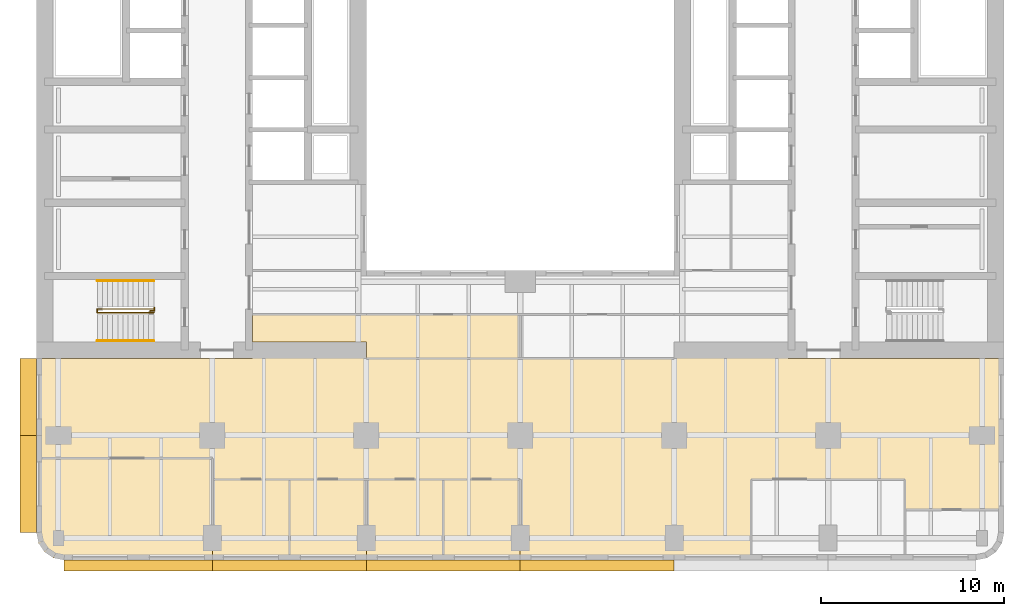
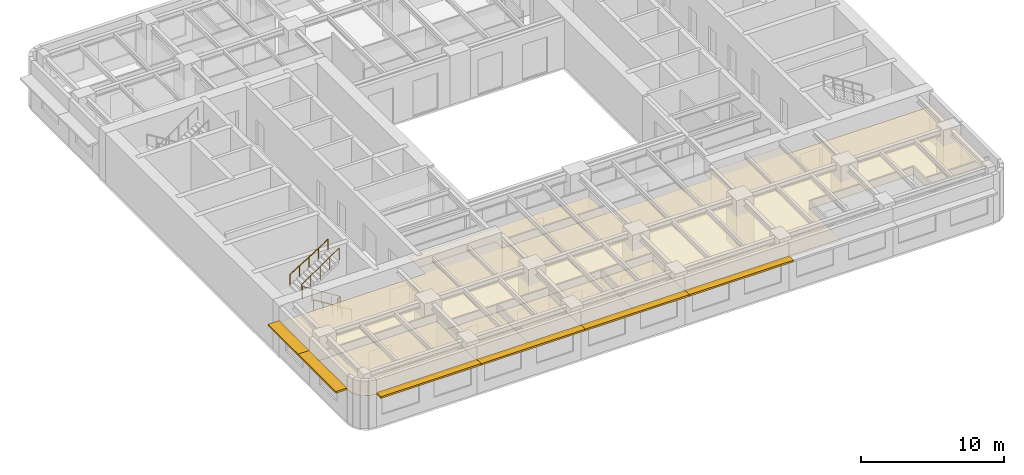
# One storey, part 9 of 11: 7 coverings, 6 shading devices, 4 railings.
"""IFC4 building model written with IfcOpenShell, lengths in metres."""

from ifc_helpers import new_model, si_unit, direction, frame, origin, origin_2d, place, context, subcontext, project, spatial, polyline, rectangle, circle, outline, extrude, material, layer, layer_set, type_object, element, save


model = new_model("IFC4")

# Units and contexts
model_context = context("Model", 3, precision=1e-05, world=origin(), true_north=direction((0.0, 1.0)))
body_context = subcontext(model_context, "Body", "Model", "MODEL_VIEW")
ifc_project = project(units=[si_unit("LENGTHUNIT", "METRE"), si_unit("AREAUNIT", "SQUARE_METRE"), si_unit("VOLUMEUNIT", "CUBIC_METRE"), si_unit("PLANEANGLEUNIT", "RADIAN"), si_unit("MASSUNIT", "GRAM", prefix="KILO")], contexts=[model_context])

# Site, building, storey
site_placement = place(None, origin())
site = spatial("IfcSite", under=ifc_project, at=site_placement, CompositionType="ELEMENT")
building_placement = place(site_placement, origin())
building = spatial("IfcBuilding", under=site, at=building_placement, Name="Claustro Exchange Tower", CompositionType="ELEMENT")
storey_placement = place(building_placement, frame((0.0, 0.0, 113.39990234375)))
storey = spatial("IfcBuildingStorey", under=building, at=storey_placement, Name="L25", CompositionType="ELEMENT", Elevation=113.39990234375)

# Coverings
ifc_material_1 = material(Name="Perforated metal ceiling tiles", Category="steel")
ifc_layer_1 = layer(ifc_material_1, 0.030029296875)
ifc_layer_set_1 = layer_set([ifc_layer_1], Name="Perforated metal ceiling tiles")
covering_type_1 = type_object("IfcCoveringType", Name="CL1 suspended metal ceiling", PredefinedType="CEILING", material=ifc_layer_set_1)
covering_1_placement = place(storey_placement, frame((0.0, 0.0, 2.800048828125)))
element("IfcCovering", 1, at=covering_1_placement, inside=storey, type_object=covering_type_1, Name="Ceiling CL1 L25-08", PredefinedType="CEILING", context=body_context, shape_type="SweptSolid", body=[
    extrude(outline(polyline([(10.60009765625, 12.60009765625), (-1.199951171875, 12.60009765625), (-1.199951171875, 7.14990234375), (8.39990234375, 7.14990234375), (8.39990234375, 6.0), (12.60009765625, 6.0), (16.800048828125, 6.0), (21.0, 6.0), (25.199951171875, 6.0), (25.199951171875, 1.60009765625), (37.800048828125, 1.60009765625), (37.800048828125, 6.0), (46.199951171875, 6.0), (46.199951171875, 4.35009765625), (51.60009765625, 4.35009765625), (51.60009765625, 12.60009765625), (39.800048828125, 12.60009765625), (39.800048828125, 13.5), (33.60009765625, 13.5), (33.60009765625, 12.60009765625), (25.199951171875, 12.60009765625), (16.800048828125, 12.60009765625), (16.800048828125, 13.5), (10.60009765625, 13.5), (10.60009765625, 12.60009765625)])), origin(), (0.0, 0.0, 1.0), 0.030029296875),
])
ifc_material_2 = material(Name="Gypsum board ceiling", Category="gypsum board")
ifc_layer_2 = layer(ifc_material_2, 0.02490234375)
ifc_layer_set_2 = layer_set([ifc_layer_2], Name="Gypsum board ceiling")
covering_type_2 = type_object("IfcCoveringType", Name="CL2 plasterboard ceiling", PredefinedType="CEILING", material=ifc_layer_set_2)
covering_2_placement = place(storey_placement, frame((0.0, 0.0, 2.800048828125)))
element("IfcCovering", 2, at=covering_2_placement, inside=storey, type_object=covering_type_2, Name="Ceiling CL2 L25-02", PredefinedType="CEILING", context=body_context, shape_type="SweptSolid", body=[
    extrude(outline(polyline([(8.39990234375, 1.60009765625), (12.60009765625, 1.60009765625), (12.60009765625, 6.0), (8.39990234375, 6.0), (8.39990234375, 1.60009765625)])), origin(), (0.0, 0.0, 1.0), 0.025146484375),
])
covering_3_placement = place(storey_placement, frame((0.0, 0.0, 2.800048828125)))
element("IfcCovering", 3, at=covering_3_placement, inside=storey, type_object=covering_type_2, Name="Ceiling CL2 L25-03", PredefinedType="CEILING", context=body_context, shape_type="SweptSolid", body=[
    extrude(outline(polyline([(12.60009765625, 1.60009765625), (16.800048828125, 1.60009765625), (16.800048828125, 6.0), (12.60009765625, 6.0), (12.60009765625, 1.60009765625)])), origin(), (0.0, 0.0, 1.0), 0.025146484375),
])
covering_4_placement = place(storey_placement, frame((0.0, 0.0, 2.800048828125)))
element("IfcCovering", 4, at=covering_4_placement, inside=storey, type_object=covering_type_2, Name="Ceiling CL2 L25-04", PredefinedType="CEILING", context=body_context, shape_type="SweptSolid", body=[
    extrude(outline(polyline([(16.800048828125, 1.60009765625), (21.0, 1.60009765625), (21.0, 6.0), (16.800048828125, 6.0), (16.800048828125, 1.60009765625)])), origin(), (0.0, 0.0, 1.0), 0.025146484375),
])
covering_5_placement = place(storey_placement, frame((0.0, 0.0, 2.800048828125)))
element("IfcCovering", 5, at=covering_5_placement, inside=storey, type_object=covering_type_2, Name="Ceiling CL2 L25-05", PredefinedType="CEILING", context=body_context, shape_type="SweptSolid", body=[
    extrude(outline(polyline([(21.0, 1.60009765625), (25.199951171875, 1.60009765625), (25.199951171875, 6.0), (21.0, 6.0), (21.0, 1.60009765625)])), origin(), (0.0, 0.0, 1.0), 0.025146484375),
])
covering_6_placement = place(storey_placement, frame((0.0, 0.0, 2.800048828125)))
element("IfcCovering", 6, at=covering_6_placement, inside=storey, type_object=covering_type_2, Name="Ceiling CL2 L25-07", PredefinedType="CEILING", context=body_context, shape_type="SweptSolid", body=[
    extrude(outline(polyline([(-1.085693359375, 2.52587890625), (-0.7607421875, 2.039306640625), (-0.27392578125, 1.714111328125), (0.300048828125, 1.60009765625), (8.39990234375, 1.60009765625), (8.39990234375, 7.14990234375), (-1.199951171875, 7.14990234375), (-1.199951171875, 3.10009765625), (-1.085693359375, 2.52587890625)])), origin(), (0.0, 0.0, 1.0), 0.025146484375),
])
covering_7_placement = place(storey_placement, frame((0.0, 0.0, 2.800048828125)))
element("IfcCovering", 7, at=covering_7_placement, inside=storey, type_object=covering_type_2, Name="Ceiling CL2 L25-09", PredefinedType="CEILING", context=body_context, shape_type="SweptSolid", body=[
    extrude(outline(polyline([(10.60009765625, 15.0), (10.60009765625, 13.5), (16.800048828125, 13.5), (16.800048828125, 12.60009765625), (25.199951171875, 12.60009765625), (25.199951171875, 15.0), (16.800048828125, 15.0), (16.800048828125, 15.0), (10.60009765625, 15.0)])), origin(), (0.0, 0.0, 1.0), 0.025146484375),
])

# Railings
ifc_material_3 = material(Name="Steel balustrade, painted", Category="steel")
railing_type_1 = type_object("IfcRailingType", Name="GR2 1100 steel stair guard", PredefinedType="GUARDRAIL", material=ifc_material_3)
railing_1_placement = place(storey_placement, frame((5.199951171875, 15.10009765625, 0.175048828125)))
element("IfcRailing", 8, at=railing_1_placement, inside=storey, type_object=railing_type_1, Name="Stair well guard GR2 stair STWA L25", PredefinedType="GUARDRAIL", context=body_context, shape_type="SweptSolid", body=[
    extrude(circle(Radius=0.02392578125, at=origin_2d()), frame((0.0, 0.0, 1.076171875), z_axis=(-0.847979421464, 0.0, 0.530029150871), x_axis=(0.0, -1.0, 0.0)), (0.0, 0.0, 1.0), 3.632080078125),
    extrude(circle(Radius=0.02392578125, at=origin_2d()), frame((-3.079833984375, 0.0, 3.0009765625), z_axis=(0.0, 1.0, 0.0), x_axis=(-1.0, 0.0, 0.0)), (0.0, 0.0, 1.0), 0.199951171875),
    extrude(circle(Radius=0.02392578125, at=origin_2d()), frame((-3.079833984375, 0.199951171875, 3.0009765625), z_axis=(0.826201015165, 0.0, 0.563375436579), x_axis=(0.0, 1.0, 0.0)), (0.0, 0.0, 1.0), 3.727783203125),
    extrude(circle(Radius=0.02099609375, at=origin_2d()), origin(), (0.0, 0.0, 1.0), 1.052001953125),
    extrude(circle(Radius=0.02099609375, at=origin_2d()), frame((-0.77001953125, 0.0, 0.481201171875)), (0.0, 0.0, 1.0), 1.052001953125),
    extrude(circle(Radius=0.02099609375, at=origin_2d()), frame((-1.5400390625, 0.0, 0.96240234375)), (0.0, 0.0, 1.0), 1.052001953125),
    extrude(circle(Radius=0.02099609375, at=origin_2d()), frame((-2.309814453125, 0.0, 1.44384765625)), (0.0, 0.0, 1.0), 1.052001953125),
    extrude(circle(Radius=0.02099609375, at=origin_2d()), frame((-3.079833984375, 0.0, 1.925048828125)), (0.0, 0.0, 1.0), 1.052001953125),
    extrude(circle(Radius=0.02099609375, at=origin_2d()), frame((-3.079833984375, 0.199951171875, 1.925048828125)), (0.0, 0.0, 1.0), 1.052001953125),
    extrude(circle(Radius=0.02099609375, at=origin_2d()), frame((-2.309814453125, 0.199951171875, 2.4501953125)), (0.0, 0.0, 1.0), 1.052001953125),
    extrude(circle(Radius=0.02099609375, at=origin_2d()), frame((-1.5400390625, 0.199951171875, 2.97509765625)), (0.0, 0.0, 1.0), 1.052001953125),
    extrude(circle(Radius=0.02099609375, at=origin_2d()), frame((-0.77001953125, 0.199951171875, 3.5)), (0.0, 0.0, 1.0), 1.052001953125),
    extrude(circle(Radius=0.02099609375, at=origin_2d()), frame((0.0, 0.199951171875, 4.025146484375)), (0.0, 0.0, 1.0), 1.052001953125),
])
railing_2_placement = place(storey_placement, frame((5.0, 15.169921875, 0.0)))
element("IfcRailing", 9, at=railing_2_placement, inside=storey, type_object=railing_type_1, Name="Stair guard GR2 STWA L25", PredefinedType="GUARDRAIL", context=body_context, shape_type="SweptSolid", body=[
    extrude(circle(Radius=0.02392578125, at=origin_2d()), frame((0.0, 0.0, 1.076171875), z_axis=(0.0, 1.0, 0.0), x_axis=(-1.0, 0.0, 0.0)), (0.0, 0.0, 1.0), 0.030029296875),
    extrude(circle(Radius=0.02392578125, at=origin_2d()), frame((0.0, 0.030029296875, 1.076171875), z_axis=(1.0, 0.0, 0.0), x_axis=(0.0, 1.0, 0.0)), (0.0, 0.0, 1.0), 0.22509765625),
    extrude(circle(Radius=0.02392578125, at=origin_2d()), frame((0.22509765625, 0.030029296875, 1.076171875), z_axis=(0.0, 1.0, 0.0), x_axis=(-1.0, 0.0, 0.0)), (0.0, 0.0, 1.0), 0.179931640625),
    extrude(circle(Radius=0.02099609375, at=origin_2d()), origin(), (0.0, 0.0, 1.0), 1.052001953125),
    extrude(circle(Radius=0.02099609375, at=origin_2d()), frame((0.0, 0.030029296875, 0.0)), (0.0, 0.0, 1.0), 1.052001953125),
    extrude(circle(Radius=0.02099609375, at=origin_2d()), frame((0.22509765625, 0.030029296875, 0.0)), (0.0, 0.0, 1.0), 1.052001953125),
    extrude(circle(Radius=0.02099609375, at=origin_2d()), frame((0.22509765625, 0.2099609375, 0.0)), (0.0, 0.0, 1.0), 1.052001953125),
])
ifc_material_4 = material(Name="Stainless steel tube", Category="steel")
railing_type_2 = type_object("IfcRailingType", Name="HR1 900 stair handrail", PredefinedType="HANDRAIL", material=ifc_material_4)
railing_3_placement = place(storey_placement, frame((5.199951171875, 13.56005859375, 0.175048828125)))
element("IfcRailing", 10, at=railing_3_placement, inside=storey, type_object=railing_type_2, Name="Handrail HR1 stair STWA L25", PredefinedType="HANDRAIL", context=body_context, shape_type="SweptSolid", body=[
    extrude(circle(Radius=0.02392578125, at=origin_2d()), frame((0.0, 0.0, 0.8759765625), z_axis=(-0.847979421464, 0.0, 0.530029150871), x_axis=(0.0, -1.0, 0.0)), (0.0, 0.0, 1.0), 3.632080078125),
    extrude(circle(Radius=0.02099609375, at=origin_2d()), origin(), (0.0, 0.0, 1.0), 0.851806640625),
    extrude(circle(Radius=0.02099609375, at=origin_2d()), frame((-0.77001953125, 0.0, 0.481201171875)), (0.0, 0.0, 1.0), 0.851806640625),
    extrude(circle(Radius=0.02099609375, at=origin_2d()), frame((-1.5400390625, 0.0, 0.96240234375)), (0.0, 0.0, 1.0), 0.851806640625),
    extrude(circle(Radius=0.02099609375, at=origin_2d()), frame((-2.309814453125, 0.0, 1.44384765625)), (0.0, 0.0, 1.0), 0.851806640625),
    extrude(circle(Radius=0.02099609375, at=origin_2d()), frame((-3.079833984375, 0.0, 1.925048828125)), (0.0, 0.0, 1.0), 0.851806640625),
])
railing_4_placement = place(storey_placement, frame((2.1201171875, 16.840087890625, 2.275146484375)))
element("IfcRailing", 11, at=railing_4_placement, inside=storey, type_object=railing_type_2, Name="Handrail HR1 stair STWA L25", PredefinedType="HANDRAIL", context=body_context, shape_type="SweptSolid", body=[
    extrude(circle(Radius=0.02392578125, at=origin_2d()), frame((0.0, 0.0, 0.8759765625), z_axis=(0.847979421464, 0.0, 0.530029150871), x_axis=(0.0, 1.0, 0.0)), (0.0, 0.0, 1.0), 3.632080078125),
    extrude(circle(Radius=0.02099609375, at=origin_2d()), origin(), (0.0, 0.0, 1.0), 0.851806640625),
    extrude(circle(Radius=0.02099609375, at=origin_2d()), frame((0.77001953125, 0.0, 0.481201171875)), (0.0, 0.0, 1.0), 0.851806640625),
    extrude(circle(Radius=0.02099609375, at=origin_2d()), frame((1.5400390625, 0.0, 0.96240234375)), (0.0, 0.0, 1.0), 0.851806640625),
    extrude(circle(Radius=0.02099609375, at=origin_2d()), frame((2.309814453125, 0.0, 1.44384765625)), (0.0, 0.0, 1.0), 0.851806640625),
    extrude(circle(Radius=0.02099609375, at=origin_2d()), frame((3.079833984375, 0.0, 1.925048828125)), (0.0, 0.0, 1.0), 0.851806640625),
])

# Shading devices
ifc_material_5 = material(Name="Concrete HA-40 (C40/50), precast, white cement, acid-etched", Category="concrete")
ifc_layer_3 = layer(ifc_material_5, 0.14990234375)
ifc_layer_set_3 = layer_set([ifc_layer_3], Name="Concrete HA-40 (C40/50), precast, white cement, acid-etched")
shading_device_type_1 = type_object("IfcShadingDeviceType", Name="SS1 600 precast concrete SUNSHADE", PredefinedType="SHUTTER", material=ifc_layer_set_3)
for number, where, z_axis, x_axis, name in (
    (12, (29.39990234375, 1.300048828125, 2.800048828125), (0.0, 0.0, 1.0), (-1.0, 0.0, 0.0), "Precast SUNSHADE SS1 L25"),
    (13, (21.0, 1.300048828125, 2.800048828125), (0.0, 0.0, 1.0), (-1.0, 0.0, 0.0), "Precast SUNSHADE SS1 L25"),
    (14, (12.60009765625, 1.300048828125, 2.800048828125), (0.0, 0.0, 1.0), (-1.0, 0.0, 0.0), "Precast SUNSHADE SS1 L25"),
):
    element("IfcShadingDevice", number, at=place(storey_placement, frame(where, z_axis=z_axis, x_axis=x_axis)), inside=storey, type_object=shading_device_type_1, Name=name, PredefinedType="SHUTTER", context=body_context, shape_type="SweptSolid", body=[
        extrude(rectangle(XDim=8.39990234375, YDim=0.60009765625, at=origin_2d()), origin(), (0.0, 0.0, 1.0), 0.14990234375),
    ])
shading_device_1_placement = place(storey_placement, frame((4.357421875, 1.300048828125, 2.800048828125), z_axis=(0.0, 0.0, 1.0), x_axis=(-1.0, 0.0, 0.0)))
element("IfcShadingDevice", 15, at=shading_device_1_placement, inside=storey, type_object=shading_device_type_1, Name="Precast SUNSHADE SS1 L25", PredefinedType="SHUTTER", context=body_context, shape_type="SweptSolid", body=[
    extrude(rectangle(XDim=8.085205078125, YDim=0.60009765625, at=origin_2d()), origin(), (0.0, 0.0, 1.0), 0.14990234375),
])
ifc_material_6 = material(Name="Concrete HA-40 (C40/50), precast, white cement, acid-etched", Category="concrete")
ifc_layer_4 = layer(ifc_material_6, 0.14990234375)
ifc_layer_set_4 = layer_set([ifc_layer_4], Name="Concrete HA-40 (C40/50), precast, white cement, acid-etched")
shading_device_type_2 = type_object("IfcShadingDeviceType", Name="SS2 900 precast concrete SUNSHADE", PredefinedType="SHUTTER", material=ifc_layer_set_4)
shading_device_2_placement = place(storey_placement, frame((-1.64990234375, 5.75732421875, 2.800048828125), z_axis=(0.0, 0.0, 1.0), x_axis=(0.0, 1.0, 0.0)))
element("IfcShadingDevice", 16, at=shading_device_2_placement, inside=storey, type_object=shading_device_type_2, Name="Precast SUNSHADE SS2 L25", PredefinedType="SHUTTER", context=body_context, shape_type="SweptSolid", body=[
    extrude(rectangle(XDim=5.28515625, YDim=0.89990234375, at=origin_2d()), origin(), (0.0, 0.0, 1.0), 0.14990234375),
])
shading_device_3_placement = place(storey_placement, frame((-1.64990234375, 10.5, 2.800048828125), z_axis=(0.0, 0.0, 1.0), x_axis=(0.0, 1.0, 0.0)))
element("IfcShadingDevice", 17, at=shading_device_3_placement, inside=storey, type_object=shading_device_type_2, Name="Precast SUNSHADE SS2 L25", PredefinedType="SHUTTER", context=body_context, shape_type="SweptSolid", body=[
    extrude(rectangle(XDim=4.199951171875, YDim=0.89990234375, at=origin_2d()), origin(), (0.0, 0.0, 1.0), 0.14990234375),
])

save(model, "model.ifc")
